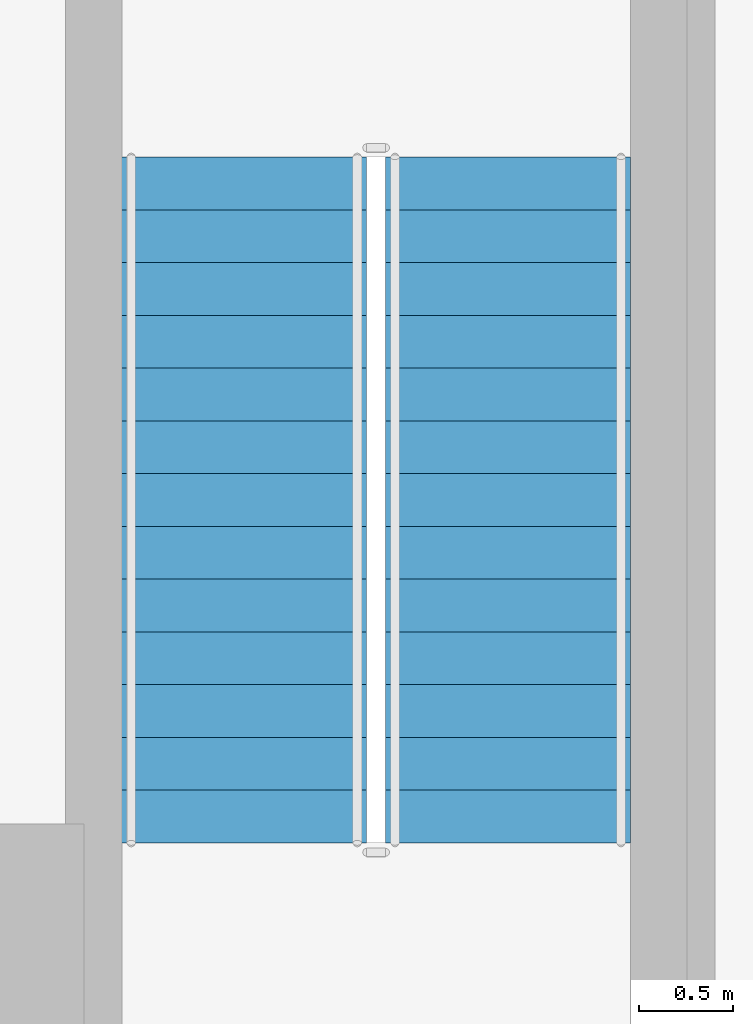
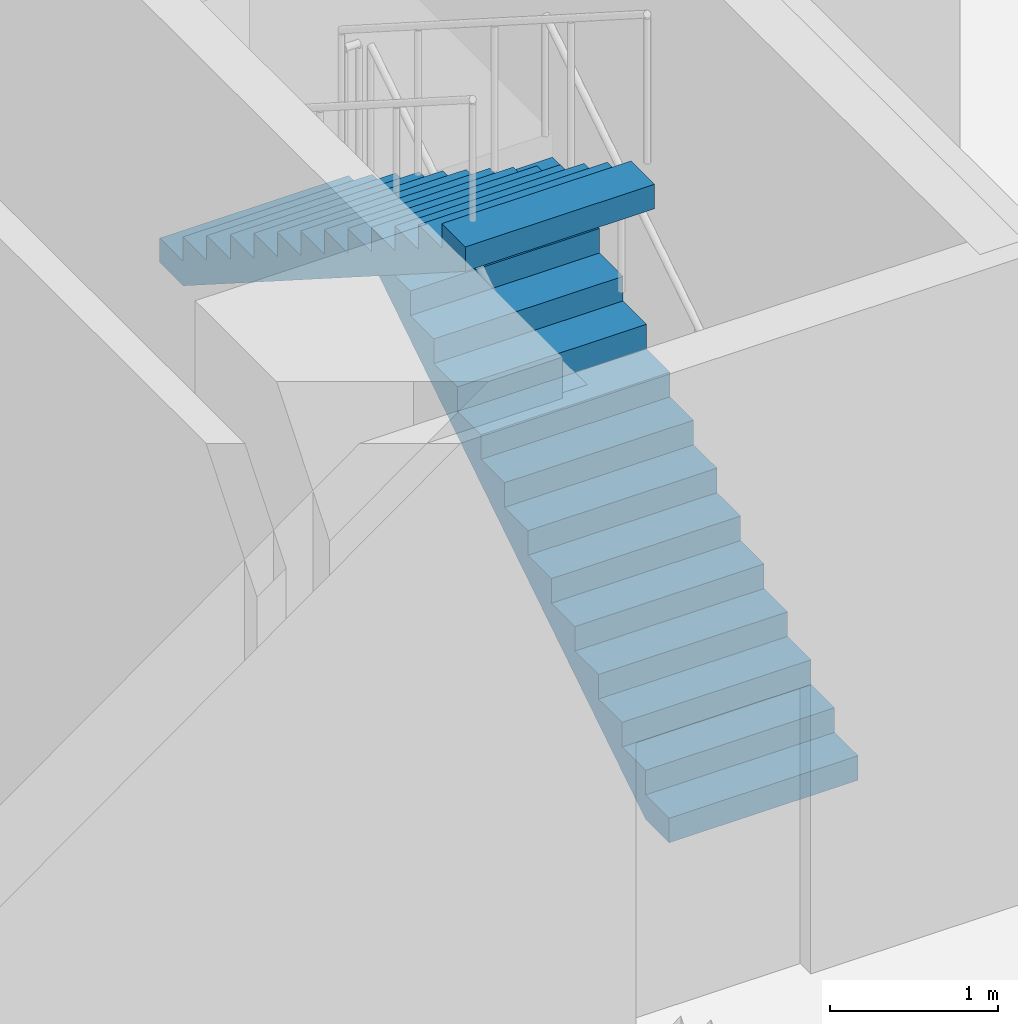
# One storey, part 18 of 33: 2 stair flights, 1 element without a shape of its own.
"""IFC4 building model written with IfcOpenShell, lengths in metres."""

import ifcopenshell
import ifcopenshell.guid

model = None  # the IFC model being written
_history = None  # IfcOwnerHistory: only IFC2X3 demands one
_inside = {}  # id of a spatial element -> (the spatial element, [elements in it])
_under = {}  # id of a project, library or spatial element -> (it, [spatial elements below it])
_declared = {}  # id of a project -> (the project, [libraries it declares])
_typed = {}  # id of a type object -> (the type object, [elements of that type])
_made_of = {}  # id of a material, layer set ... -> (it, [elements and type objects made of it])


def new_model(schema):
    """Start an empty IFC model of exactly this schema.

    Asked for "IFC4X3", IfcOpenShell would pick the latest addendum, in which some entities
    have other attributes; the version numbers below select the first issue.
    IFC2X3 requires an IfcOwnerHistory on every rooted entity: one is made here for all.
    """
    global model, _history
    if schema == "IFC4X3":
        model = ifcopenshell.file(schema_version=(4, 3, 0, 0))
    else:
        model = ifcopenshell.file(schema=schema)
    _inside.clear()
    _under.clear()
    _declared.clear()
    _typed.clear()
    _made_of.clear()
    _history = None
    if model.schema == "IFC2X3":
        org = make("IfcOrganization", Name="unknown")
        user = make(
            "IfcPersonAndOrganization",
            ThePerson=make("IfcPerson", FamilyName="unknown"),
            TheOrganization=org,
        )
        app = make(
            "IfcApplication",
            ApplicationDeveloper=org,
            Version="unknown",
            ApplicationFullName="unknown",
            ApplicationIdentifier="unknown",
        )
        _history = make(
            "IfcOwnerHistory",
            OwningUser=user,
            OwningApplication=app,
            ChangeAction="ADDED",
            CreationDate=0,
        )
    return model


def make(cls, **values):
    """One entity of the class cls with the attributes given. An attribute that is None is left unset."""
    return model.create_entity(
        cls, **{name: value for name, value in values.items() if value is not None}
    )


def rooted(cls, **values):
    """An entity with a GlobalId (a new one), such as an element, a storey or a relation."""
    return make(cls, GlobalId=ifcopenshell.guid.new(), OwnerHistory=_history, **values)


def si_unit(unit_type, name, prefix=None):
    """IfcSIUnit, for example si_unit("LENGTHUNIT", "METRE", prefix="MILLI")."""
    return make("IfcSIUnit", UnitType=unit_type, Prefix=prefix, Name=name)


def assignment(units):
    """IfcUnitAssignment: the units of a project."""
    return None if units is None else make("IfcUnitAssignment", Units=units)


def point(xyz):
    """IfcCartesianPoint."""
    return None if xyz is None else make("IfcCartesianPoint", Coordinates=xyz)


def direction(xyz):
    """IfcDirection."""
    return None if xyz is None else make("IfcDirection", DirectionRatios=xyz)


def frame(location, z_axis=None, x_axis=None):
    """IfcAxis2Placement3D, a coordinate frame: its origin and axes. An axis left out is left unset."""
    return make(
        "IfcAxis2Placement3D",
        Location=point(location),
        Axis=direction(z_axis),
        RefDirection=direction(x_axis),
    )


def origin():
    """The frame at (0, 0, 0) with its axes left unset."""
    return frame((0.0, 0.0, 0.0))


def place(relative_to, where):
    """IfcLocalPlacement: puts the frame where relative to a parent placement (None: the world)."""
    return make(
        "IfcLocalPlacement", PlacementRelTo=relative_to, RelativePlacement=where
    )


def context(
    kind, dimensions, precision=None, world=None, true_north=None, identifier=None
):
    """IfcGeometricRepresentationContext, for example the 3D "Model" context."""
    return make(
        "IfcGeometricRepresentationContext",
        ContextIdentifier=identifier,
        ContextType=kind,
        CoordinateSpaceDimension=dimensions,
        Precision=precision,
        WorldCoordinateSystem=world,
        TrueNorth=true_north,
    )


def subcontext(parent, identifier, kind, view, scale=None):
    """IfcGeometricRepresentationSubContext, for example "Body" below "Model"."""
    return make(
        "IfcGeometricRepresentationSubContext",
        ContextIdentifier=identifier,
        ContextType=kind,
        ParentContext=parent,
        TargetScale=scale,
        TargetView=view,
    )


def project(units=None, contexts=None):
    """IfcProject with its units and contexts."""
    return rooted(
        "IfcProject",
        Name="project",
        RepresentationContexts=contexts,
        UnitsInContext=assignment(units),
    )


def spatial(cls, under=None, at=None, **own):
    """A site, building, storey or space (cls), placed at a placement, below another one or the project."""
    s = rooted(cls, ObjectPlacement=at, **own)
    if under is not None:
        _under.setdefault(under.id(), (under, []))[1].append(s)
    return s


def point_list(points):
    """IfcCartesianPointList2D or 3D."""
    cls = (
        "IfcCartesianPointList2D" if len(points[0]) == 2 else "IfcCartesianPointList3D"
    )
    return make(cls, CoordList=points)


def triangles(points, corners, closed=None, point_numbers=None):
    """IfcTriangulatedFaceSet: each triangle names its three corners, points numbered from 1."""
    return make(
        "IfcTriangulatedFaceSet",
        Coordinates=point_list(points),
        Closed=closed,
        CoordIndex=corners,
        PnIndex=point_numbers,
    )


def shape(context_of_items, identifier, shape_type, items):
    """IfcShapeRepresentation: the items that make up one representation, for example the "Body"."""
    return make(
        "IfcShapeRepresentation",
        ContextOfItems=context_of_items,
        RepresentationIdentifier=identifier,
        RepresentationType=shape_type,
        Items=items,
    )


def source(mapping_origin, context_of_items, identifier, shape_type, items):
    """IfcRepresentationMap: a shape defined once, which mapped items show again and again."""
    return make(
        "IfcRepresentationMap",
        MappingOrigin=mapping_origin,
        MappedRepresentation=shape(context_of_items, identifier, shape_type, items),
    )


def transform(
    local_origin,
    x_axis=None,
    y_axis=None,
    z_axis=None,
    scale=None,
    scale2=None,
    scale3=None,
    uniform=True,
):
    """IfcCartesianTransformationOperator3D, or its non-uniform kind. x_axis, y_axis, z_axis: its Axis1, 2, 3."""
    if uniform:
        return make(
            "IfcCartesianTransformationOperator3D",
            Axis1=direction(x_axis),
            Axis2=direction(y_axis),
            LocalOrigin=point(local_origin),
            Scale=scale,
            Axis3=direction(z_axis),
        )
    return make(
        "IfcCartesianTransformationOperator3DnonUniform",
        Axis1=direction(x_axis),
        Axis2=direction(y_axis),
        LocalOrigin=point(local_origin),
        Scale=scale,
        Axis3=direction(z_axis),
        Scale2=scale2,
        Scale3=scale3,
    )


def mapped(mapping_source, mapping_target):
    """IfcMappedItem: shows the shape of a source again, moved by a transform."""
    return make(
        "IfcMappedItem", MappingSource=mapping_source, MappingTarget=mapping_target
    )


def material(Name=None, Category=None):
    """IfcMaterial."""
    return make("IfcMaterial", Name=Name, Category=Category)


def made_of(thing, what):
    """Note that an element or type object is made of a material, layer set ...; save() writes the relation."""
    if what is not None:
        _made_of.setdefault(what.id(), (what, []))[1].append(thing)
    return thing


def type_object(cls, material=None, **own):
    """A type object (cls), such as IfcWallType, which elements share."""
    return made_of(rooted(cls, **own), material)


def element(
    cls,
    number,
    at=None,
    inside=None,
    cuts=None,
    type_object=None,
    material=None,
    context=None,
    identifier="Body",
    shape_type=None,
    held_by="IfcProductDefinitionShape",
    body=None,
    shapes=None,
    **own,
):
    """One element of the class cls, such as IfcWall. Its Tag is "e" and its number.

    at: its placement. inside: the storey or other place that contains it. cuts: it is an
    opening in that element (IfcRelVoidsElement). A single representation is given by context,
    identifier, shape_type and body (its items); several are given by shapes. held_by: the class
    of the entity that holds the representations. save() writes the other relations.
    """
    e = rooted(cls, Tag="e%d" % number, ObjectPlacement=at, **own)
    if body is not None:
        shapes = [shape(context, identifier, shape_type, body)]
    if shapes is not None:
        e.Representation = make(held_by, Representations=shapes)
    if inside is not None:
        _inside.setdefault(inside.id(), (inside, []))[1].append(e)
    if cuts is not None:
        rooted(
            "IfcRelVoidsElement", RelatingBuildingElement=cuts, RelatedOpeningElement=e
        )
    if type_object is not None:
        _typed.setdefault(type_object.id(), (type_object, []))[1].append(e)
    return made_of(e, material)


def aggregate(whole, parts):
    """IfcRelAggregates: a whole, such as a stair, and the parts it consists of."""
    return rooted("IfcRelAggregates", RelatingObject=whole, RelatedObjects=parts)


def save(model, path):
    """Write the relations noted so far, then the file.

    IfcRelAggregates (storeys below a building ...), IfcRelContainedInSpatialStructure (elements
    in a storey), IfcRelDefinesByType, IfcRelAssociatesMaterial and IfcRelDeclares: one each for
    every whole, place, type object, material and project.
    """
    for whole, parts in _under.values():
        aggregate(whole, parts)
    for where, things in _inside.values():
        rooted(
            "IfcRelContainedInSpatialStructure",
            RelatedElements=things,
            RelatingStructure=where,
        )
    for kind, things in _typed.values():
        rooted("IfcRelDefinesByType", RelatedObjects=things, RelatingType=kind)
    for what, things in _made_of.values():
        rooted("IfcRelAssociatesMaterial", RelatedObjects=things, RelatingMaterial=what)
    for by, libraries in _declared.values():
        rooted("IfcRelDeclares", RelatingContext=by, RelatedDefinitions=libraries)
    model.write(path)


model = new_model("IFC4")

# Units and contexts
model_context = context("Model", 3, precision=1e-05, world=origin(), true_north=direction((0.0, 1.0)))
body_context = subcontext(model_context, "Body", "Model", "MODEL_VIEW")
ifc_project = project(units=[si_unit("LENGTHUNIT", "METRE"), si_unit("AREAUNIT", "SQUARE_METRE"), si_unit("VOLUMEUNIT", "CUBIC_METRE"), si_unit("PLANEANGLEUNIT", "RADIAN"), si_unit("MASSUNIT", "GRAM", prefix="KILO")], contexts=[model_context])

# Site, building, storey
site_placement = place(None, origin())
site = spatial("IfcSite", under=ifc_project, at=site_placement, CompositionType="ELEMENT")
building_placement = place(site_placement, origin())
building = spatial("IfcBuilding", under=site, at=building_placement, Name="Ogive Portal Towers", CompositionType="ELEMENT")
storey_placement = place(building_placement, frame((0.0, 0.0, 28.5)))
storey = spatial("IfcBuildingStorey", under=building, at=storey_placement, Name="L05", CompositionType="ELEMENT", Elevation=28.5)

# Stair, stair flights
ifc_material = material(Name="Concrete C40/50", Category="concrete")
stair_type = type_object("IfcStairType", Name="INT-STAIR", PredefinedType="HALF_TURN_STAIR", material=ifc_material)
stair_placement = place(storey_placement, origin())
stair = element("IfcStair", 1, at=stair_placement, inside=storey, type_object=stair_type, Name="L05 Exit Stair ST-A3", PredefinedType="HALF_TURN_STAIR")
stair_flight_type = type_object("IfcStairFlightType", Name="INT-FLIGHT", PredefinedType="STRAIGHT", material=ifc_material)
shared_shape = source(origin(), body_context, "Body", "Tessellation", [
    triangles([(0.0, -0.650146484375, 0.0), (0.0, -0.376220703125, 0.0), (0.0, -0.192626953125, 0.0), (0.0, -0.081298828125, 0.0), (0.0, -0.024169921875, 0.0), (0.0, -0.003173828125, 0.0), (0.0, 0.0, 0.0), (0.0, 0.0029296875, 0.0), (0.0, 0.02392578125, 0.0), (0.0, 0.0810546875, 0.0), (0.0, 0.1923828125, 0.0), (0.0, 0.3759765625, 0.0), (0.0, 0.64990234375, 0.0), (0.0, -0.650146484375, 0.178466796875), (0.0, -0.376220703125, 0.178466796875), (0.0, -0.192626953125, 0.178466796875), (0.0, -0.081298828125, 0.178466796875), (0.0, -0.024169921875, 0.178466796875), (0.0, -0.003173828125, 0.178466796875), (0.0, 0.0, 0.178466796875), (0.0, 0.0029296875, 0.178466796875), (0.0, 0.02392578125, 0.178466796875), (0.0, 0.0810546875, 0.178466796875), (0.0, 0.1923828125, 0.178466796875), (0.0, 0.3759765625, 0.178466796875), (0.0, 0.64990234375, 0.178466796875), (0.280029296875, -0.650146484375, 0.178466796875), (0.280029296875, -0.376220703125, 0.178466796875), (0.280029296875, -0.192626953125, 0.178466796875), (0.280029296875, -0.081298828125, 0.178466796875), (0.280029296875, -0.024169921875, 0.178466796875), (0.280029296875, -0.003173828125, 0.178466796875), (0.280029296875, 0.0, 0.178466796875), (0.280029296875, 0.0029296875, 0.178466796875), (0.280029296875, 0.02392578125, 0.178466796875), (0.280029296875, 0.0810546875, 0.178466796875), (0.280029296875, 0.1923828125, 0.178466796875), (0.280029296875, 0.3759765625, 0.178466796875), (0.280029296875, 0.64990234375, 0.178466796875), (0.280029296875, -0.650146484375, 0.357177734375), (0.280029296875, -0.376220703125, 0.357177734375), (0.280029296875, -0.192626953125, 0.357177734375), (0.280029296875, -0.081298828125, 0.357177734375), (0.280029296875, -0.024169921875, 0.357177734375), (0.280029296875, -0.003173828125, 0.357177734375), (0.280029296875, 0.0, 0.357177734375), (0.280029296875, 0.0029296875, 0.357177734375), (0.280029296875, 0.02392578125, 0.357177734375), (0.280029296875, 0.0810546875, 0.357177734375), (0.280029296875, 0.1923828125, 0.357177734375), (0.280029296875, 0.3759765625, 0.357177734375), (0.280029296875, 0.64990234375, 0.357177734375), (0.56005859375, -0.650146484375, 0.357177734375), (0.56005859375, -0.376220703125, 0.357177734375), (0.56005859375, -0.192626953125, 0.357177734375), (0.56005859375, -0.081298828125, 0.357177734375), (0.56005859375, -0.024169921875, 0.357177734375), (0.56005859375, -0.003173828125, 0.357177734375), (0.56005859375, 0.0, 0.357177734375), (0.56005859375, 0.0029296875, 0.357177734375), (0.56005859375, 0.02392578125, 0.357177734375), (0.56005859375, 0.0810546875, 0.357177734375), (0.56005859375, 0.1923828125, 0.357177734375), (0.56005859375, 0.3759765625, 0.357177734375), (0.56005859375, 0.64990234375, 0.357177734375), (0.56005859375, -0.650146484375, 0.53564453125), (0.56005859375, -0.376220703125, 0.53564453125), (0.56005859375, -0.192626953125, 0.53564453125), (0.56005859375, -0.081298828125, 0.53564453125), (0.56005859375, -0.024169921875, 0.53564453125), (0.56005859375, -0.003173828125, 0.53564453125), (0.56005859375, 0.0, 0.53564453125), (0.56005859375, 0.0029296875, 0.53564453125), (0.56005859375, 0.02392578125, 0.53564453125), (0.56005859375, 0.0810546875, 0.53564453125), (0.56005859375, 0.1923828125, 0.53564453125), (0.56005859375, 0.3759765625, 0.53564453125), (0.56005859375, 0.64990234375, 0.53564453125), (0.840087890625, -0.650146484375, 0.53564453125), (0.840087890625, -0.376220703125, 0.53564453125), (0.840087890625, -0.192626953125, 0.53564453125), (0.840087890625, -0.081298828125, 0.53564453125), (0.840087890625, -0.024169921875, 0.53564453125), (0.840087890625, -0.003173828125, 0.53564453125), (0.840087890625, 0.0, 0.53564453125), (0.840087890625, 0.0029296875, 0.53564453125), (0.840087890625, 0.02392578125, 0.53564453125), (0.840087890625, 0.0810546875, 0.53564453125), (0.840087890625, 0.1923828125, 0.53564453125), (0.840087890625, 0.3759765625, 0.53564453125), (0.840087890625, 0.64990234375, 0.53564453125), (0.840087890625, -0.650146484375, 0.71435546875), (0.840087890625, -0.376220703125, 0.71435546875), (0.840087890625, -0.192626953125, 0.71435546875), (0.840087890625, -0.081298828125, 0.71435546875), (0.840087890625, -0.024169921875, 0.71435546875), (0.840087890625, -0.003173828125, 0.71435546875), (0.840087890625, 0.0, 0.71435546875), (0.840087890625, 0.0029296875, 0.71435546875), (0.840087890625, 0.02392578125, 0.71435546875), (0.840087890625, 0.0810546875, 0.71435546875), (0.840087890625, 0.1923828125, 0.71435546875), (0.840087890625, 0.3759765625, 0.71435546875), (0.840087890625, 0.64990234375, 0.71435546875), (1.1201171875, -0.650146484375, 0.71435546875), (1.1201171875, -0.376220703125, 0.71435546875), (1.1201171875, -0.192626953125, 0.71435546875), (1.1201171875, -0.081298828125, 0.71435546875), (1.1201171875, -0.024169921875, 0.71435546875), (1.1201171875, -0.003173828125, 0.71435546875), (1.1201171875, 0.0, 0.71435546875), (1.1201171875, 0.0029296875, 0.71435546875), (1.1201171875, 0.02392578125, 0.71435546875), (1.1201171875, 0.0810546875, 0.71435546875), (1.1201171875, 0.1923828125, 0.71435546875), (1.1201171875, 0.3759765625, 0.71435546875), (1.1201171875, 0.64990234375, 0.71435546875), (1.1201171875, -0.650146484375, 0.892822265625), (1.1201171875, -0.376220703125, 0.892822265625), (1.1201171875, -0.192626953125, 0.892822265625), (1.1201171875, -0.081298828125, 0.892822265625), (1.1201171875, -0.024169921875, 0.892822265625), (1.1201171875, -0.003173828125, 0.892822265625), (1.1201171875, 0.0, 0.892822265625), (1.1201171875, 0.0029296875, 0.892822265625), (1.1201171875, 0.02392578125, 0.892822265625), (1.1201171875, 0.0810546875, 0.892822265625), (1.1201171875, 0.1923828125, 0.892822265625), (1.1201171875, 0.3759765625, 0.892822265625), (1.1201171875, 0.64990234375, 0.892822265625), (1.39990234375, -0.650146484375, 0.892822265625), (1.39990234375, -0.376220703125, 0.892822265625), (1.39990234375, -0.192626953125, 0.892822265625), (1.39990234375, -0.081298828125, 0.892822265625), (1.39990234375, -0.024169921875, 0.892822265625), (1.39990234375, -0.003173828125, 0.892822265625), (1.39990234375, 0.0, 0.892822265625), (1.39990234375, 0.0029296875, 0.892822265625), (1.39990234375, 0.02392578125, 0.892822265625), (1.39990234375, 0.0810546875, 0.892822265625), (1.39990234375, 0.1923828125, 0.892822265625), (1.39990234375, 0.3759765625, 0.892822265625), (1.39990234375, 0.64990234375, 0.892822265625), (1.39990234375, -0.650146484375, 1.071533203125), (1.39990234375, -0.376220703125, 1.071533203125), (1.39990234375, -0.192626953125, 1.071533203125), (1.39990234375, -0.081298828125, 1.071533203125), (1.39990234375, -0.024169921875, 1.071533203125), (1.39990234375, -0.003173828125, 1.071533203125), (1.39990234375, 0.0, 1.071533203125), (1.39990234375, 0.0029296875, 1.071533203125), (1.39990234375, 0.02392578125, 1.071533203125), (1.39990234375, 0.0810546875, 1.071533203125), (1.39990234375, 0.1923828125, 1.071533203125), (1.39990234375, 0.3759765625, 1.071533203125), (1.39990234375, 0.64990234375, 1.071533203125), (1.679931640625, -0.650146484375, 1.071533203125), (1.679931640625, -0.376220703125, 1.071533203125), (1.679931640625, -0.192626953125, 1.071533203125), (1.679931640625, -0.081298828125, 1.071533203125), (1.679931640625, -0.024169921875, 1.071533203125), (1.679931640625, -0.003173828125, 1.071533203125), (1.679931640625, 0.0, 1.071533203125), (1.679931640625, 0.0029296875, 1.071533203125), (1.679931640625, 0.02392578125, 1.071533203125), (1.679931640625, 0.0810546875, 1.071533203125), (1.679931640625, 0.1923828125, 1.071533203125), (1.679931640625, 0.3759765625, 1.071533203125), (1.679931640625, 0.64990234375, 1.071533203125), (1.679931640625, -0.650146484375, 1.25), (1.679931640625, -0.376220703125, 1.25), (1.679931640625, -0.192626953125, 1.25), (1.679931640625, -0.081298828125, 1.25), (1.679931640625, -0.024169921875, 1.25), (1.679931640625, -0.003173828125, 1.25), (1.679931640625, 0.0, 1.25), (1.679931640625, 0.0029296875, 1.25), (1.679931640625, 0.02392578125, 1.25), (1.679931640625, 0.0810546875, 1.25), (1.679931640625, 0.1923828125, 1.25), (1.679931640625, 0.3759765625, 1.25), (1.679931640625, 0.64990234375, 1.25), (1.9599609375, -0.650146484375, 1.25), (1.9599609375, -0.376220703125, 1.25), (1.9599609375, -0.192626953125, 1.25), (1.9599609375, -0.081298828125, 1.25), (1.9599609375, -0.024169921875, 1.25), (1.9599609375, -0.003173828125, 1.25), (1.9599609375, 0.0, 1.25), (1.9599609375, 0.0029296875, 1.25), (1.9599609375, 0.02392578125, 1.25), (1.9599609375, 0.0810546875, 1.25), (1.9599609375, 0.1923828125, 1.25), (1.9599609375, 0.3759765625, 1.25), (1.9599609375, 0.64990234375, 1.25), (1.9599609375, -0.650146484375, 1.428466796875), (1.9599609375, -0.376220703125, 1.428466796875), (1.9599609375, -0.192626953125, 1.428466796875), (1.9599609375, -0.081298828125, 1.428466796875), (1.9599609375, -0.024169921875, 1.428466796875), (1.9599609375, -0.003173828125, 1.428466796875), (1.9599609375, 0.0, 1.428466796875), (1.9599609375, 0.0029296875, 1.428466796875), (1.9599609375, 0.02392578125, 1.428466796875), (1.9599609375, 0.0810546875, 1.428466796875), (1.9599609375, 0.1923828125, 1.428466796875), (1.9599609375, 0.3759765625, 1.428466796875), (1.9599609375, 0.64990234375, 1.428466796875), (2.239990234375, -0.650146484375, 1.428466796875), (2.239990234375, -0.376220703125, 1.428466796875), (2.239990234375, -0.192626953125, 1.428466796875), (2.239990234375, -0.081298828125, 1.428466796875), (2.239990234375, -0.024169921875, 1.428466796875), (2.239990234375, -0.003173828125, 1.428466796875), (2.239990234375, 0.0, 1.428466796875), (2.239990234375, 0.0029296875, 1.428466796875), (2.239990234375, 0.02392578125, 1.428466796875), (2.239990234375, 0.0810546875, 1.428466796875), (2.239990234375, 0.1923828125, 1.428466796875), (2.239990234375, 0.3759765625, 1.428466796875), (2.239990234375, 0.64990234375, 1.428466796875), (2.239990234375, -0.650146484375, 1.607177734375), (2.239990234375, -0.376220703125, 1.607177734375), (2.239990234375, -0.192626953125, 1.607177734375), (2.239990234375, -0.081298828125, 1.607177734375), (2.239990234375, -0.024169921875, 1.607177734375), (2.239990234375, -0.003173828125, 1.607177734375), (2.239990234375, 0.0, 1.607177734375), (2.239990234375, 0.0029296875, 1.607177734375), (2.239990234375, 0.02392578125, 1.607177734375), (2.239990234375, 0.0810546875, 1.607177734375), (2.239990234375, 0.1923828125, 1.607177734375), (2.239990234375, 0.3759765625, 1.607177734375), (2.239990234375, 0.64990234375, 1.607177734375), (2.52001953125, -0.650146484375, 1.607177734375), (2.52001953125, -0.376220703125, 1.607177734375), (2.52001953125, -0.192626953125, 1.607177734375), (2.52001953125, -0.081298828125, 1.607177734375), (2.52001953125, -0.024169921875, 1.607177734375), (2.52001953125, -0.003173828125, 1.607177734375), (2.52001953125, 0.0, 1.607177734375), (2.52001953125, 0.0029296875, 1.607177734375), (2.52001953125, 0.02392578125, 1.607177734375), (2.52001953125, 0.0810546875, 1.607177734375), (2.52001953125, 0.1923828125, 1.607177734375), (2.52001953125, 0.3759765625, 1.607177734375), (2.52001953125, 0.64990234375, 1.607177734375), (2.52001953125, -0.650146484375, 1.78564453125), (2.52001953125, -0.376220703125, 1.78564453125), (2.52001953125, -0.192626953125, 1.78564453125), (2.52001953125, -0.081298828125, 1.78564453125), (2.52001953125, -0.024169921875, 1.78564453125), (2.52001953125, -0.003173828125, 1.78564453125), (2.52001953125, 0.0, 1.78564453125), (2.52001953125, 0.0029296875, 1.78564453125), (2.52001953125, 0.02392578125, 1.78564453125), (2.52001953125, 0.0810546875, 1.78564453125), (2.52001953125, 0.1923828125, 1.78564453125), (2.52001953125, 0.3759765625, 1.78564453125), (2.52001953125, 0.64990234375, 1.78564453125), (2.800048828125, -0.650146484375, 1.78564453125), (2.800048828125, -0.376220703125, 1.78564453125), (2.800048828125, -0.192626953125, 1.78564453125), (2.800048828125, -0.081298828125, 1.78564453125), (2.800048828125, -0.024169921875, 1.78564453125), (2.800048828125, -0.003173828125, 1.78564453125), (2.800048828125, 0.0, 1.78564453125), (2.800048828125, 0.0029296875, 1.78564453125), (2.800048828125, 0.02392578125, 1.78564453125), (2.800048828125, 0.0810546875, 1.78564453125), (2.800048828125, 0.1923828125, 1.78564453125), (2.800048828125, 0.3759765625, 1.78564453125), (2.800048828125, 0.64990234375, 1.78564453125), (2.800048828125, -0.650146484375, 1.96435546875), (2.800048828125, -0.376220703125, 1.96435546875), (2.800048828125, -0.192626953125, 1.96435546875), (2.800048828125, -0.081298828125, 1.96435546875), (2.800048828125, -0.024169921875, 1.96435546875), (2.800048828125, -0.003173828125, 1.96435546875), (2.800048828125, 0.0, 1.96435546875), (2.800048828125, 0.0029296875, 1.96435546875), (2.800048828125, 0.02392578125, 1.96435546875), (2.800048828125, 0.0810546875, 1.96435546875), (2.800048828125, 0.1923828125, 1.96435546875), (2.800048828125, 0.3759765625, 1.96435546875), (2.800048828125, 0.64990234375, 1.96435546875), (3.080078125, -0.650146484375, 1.96435546875), (3.080078125, -0.376220703125, 1.96435546875), (3.080078125, -0.192626953125, 1.96435546875), (3.080078125, -0.081298828125, 1.96435546875), (3.080078125, -0.024169921875, 1.96435546875), (3.080078125, -0.003173828125, 1.96435546875), (3.080078125, 0.0, 1.96435546875), (3.080078125, 0.0029296875, 1.96435546875), (3.080078125, 0.02392578125, 1.96435546875), (3.080078125, 0.0810546875, 1.96435546875), (3.080078125, 0.1923828125, 1.96435546875), (3.080078125, 0.3759765625, 1.96435546875), (3.080078125, 0.64990234375, 1.96435546875), (3.080078125, -0.650146484375, 2.142822265625), (3.080078125, -0.376220703125, 2.142822265625), (3.080078125, -0.192626953125, 2.142822265625), (3.080078125, -0.081298828125, 2.142822265625), (3.080078125, -0.024169921875, 2.142822265625), (3.080078125, -0.003173828125, 2.142822265625), (3.080078125, 0.0, 2.142822265625), (3.080078125, 0.0029296875, 2.142822265625), (3.080078125, 0.02392578125, 2.142822265625), (3.080078125, 0.0810546875, 2.142822265625), (3.080078125, 0.1923828125, 2.142822265625), (3.080078125, 0.3759765625, 2.142822265625), (3.080078125, 0.64990234375, 2.142822265625), (3.360107421875, -0.650146484375, 2.142822265625), (3.360107421875, -0.376220703125, 2.142822265625), (3.360107421875, -0.192626953125, 2.142822265625), (3.360107421875, -0.081298828125, 2.142822265625), (3.360107421875, -0.024169921875, 2.142822265625), (3.360107421875, -0.003173828125, 2.142822265625), (3.360107421875, 0.0, 2.142822265625), (3.360107421875, 0.0029296875, 2.142822265625), (3.360107421875, 0.02392578125, 2.142822265625), (3.360107421875, 0.0810546875, 2.142822265625), (3.360107421875, 0.1923828125, 2.142822265625), (3.360107421875, 0.3759765625, 2.142822265625), (3.360107421875, 0.64990234375, 2.142822265625), (3.360107421875, -0.650146484375, 2.321533203125), (3.360107421875, -0.376220703125, 2.321533203125), (3.360107421875, -0.192626953125, 2.321533203125), (3.360107421875, -0.081298828125, 2.321533203125), (3.360107421875, -0.024169921875, 2.321533203125), (3.360107421875, -0.003173828125, 2.321533203125), (3.360107421875, 0.0, 2.321533203125), (3.360107421875, 0.0029296875, 2.321533203125), (3.360107421875, 0.02392578125, 2.321533203125), (3.360107421875, 0.0810546875, 2.321533203125), (3.360107421875, 0.1923828125, 2.321533203125), (3.360107421875, 0.3759765625, 2.321533203125), (3.360107421875, 0.64990234375, 2.321533203125), (3.639892578125, -0.650146484375, 2.321533203125), (3.639892578125, -0.376220703125, 2.321533203125), (3.639892578125, -0.192626953125, 2.321533203125), (3.639892578125, -0.081298828125, 2.321533203125), (3.639892578125, -0.024169921875, 2.321533203125), (3.639892578125, -0.003173828125, 2.321533203125), (3.639892578125, 0.0, 2.321533203125), (3.639892578125, 0.0029296875, 2.321533203125), (3.639892578125, 0.02392578125, 2.321533203125), (3.639892578125, 0.0810546875, 2.321533203125), (3.639892578125, 0.1923828125, 2.321533203125), (3.639892578125, 0.3759765625, 2.321533203125), (3.639892578125, 0.64990234375, 2.321533203125), (3.639892578125, -0.650146484375, 2.1435546875), (3.639892578125, -0.376220703125, 2.1435546875), (3.639892578125, -0.192626953125, 2.1435546875), (3.639892578125, -0.081298828125, 2.1435546875), (3.639892578125, -0.024169921875, 2.1435546875), (3.639892578125, -0.003173828125, 2.1435546875), (3.639892578125, 0.0, 2.1435546875), (3.639892578125, 0.0029296875, 2.1435546875), (3.639892578125, 0.02392578125, 2.1435546875), (3.639892578125, 0.0810546875, 2.1435546875), (3.639892578125, 0.1923828125, 2.1435546875), (3.639892578125, 0.3759765625, 2.1435546875), (3.639892578125, 0.64990234375, 2.1435546875), (0.27880859375, -0.650146484375, 0.0), (0.27880859375, -0.376220703125, 0.0), (0.27880859375, -0.192626953125, 0.0), (0.27880859375, -0.081298828125, 0.0), (0.27880859375, -0.024169921875, 0.0), (0.27880859375, -0.003173828125, 0.0), (0.27880859375, 0.0, 0.0), (0.27880859375, 0.0029296875, 0.0), (0.27880859375, 0.02392578125, 0.0), (0.27880859375, 0.0810546875, 0.0), (0.27880859375, 0.1923828125, 0.0), (0.27880859375, 0.3759765625, 0.0), (0.27880859375, 0.64990234375, 0.0)], [[1, 14, 15], [1, 15, 2], [2, 15, 16], [2, 16, 3], [3, 16, 17], [3, 17, 4], [4, 17, 18], [4, 18, 5], [5, 18, 19], [5, 19, 6], [6, 19, 20], [6, 20, 7], [7, 20, 21], [7, 21, 8], [8, 21, 22], [8, 22, 9], [9, 22, 23], [9, 23, 10], [10, 23, 24], [10, 24, 11], [11, 24, 25], [11, 25, 12], [12, 25, 26], [12, 26, 13], [14, 27, 28], [14, 28, 15], [15, 28, 29], [15, 29, 16], [16, 29, 30], [16, 30, 17], [17, 30, 31], [17, 31, 18], [18, 31, 32], [18, 32, 19], [19, 32, 33], [19, 33, 20], [20, 33, 34], [20, 34, 21], [21, 34, 35], [21, 35, 22], [22, 35, 36], [22, 36, 23], [23, 36, 37], [23, 37, 24], [24, 37, 38], [24, 38, 25], [25, 38, 39], [25, 39, 26], [27, 40, 41], [27, 41, 28], [28, 41, 42], [28, 42, 29], [29, 42, 43], [29, 43, 30], [30, 43, 44], [30, 44, 31], [31, 44, 45], [31, 45, 32], [32, 45, 46], [32, 46, 33], [33, 46, 47], [33, 47, 34], [34, 47, 48], [34, 48, 35], [35, 48, 49], [35, 49, 36], [36, 49, 50], [36, 50, 37], [37, 50, 51], [37, 51, 38], [38, 51, 52], [38, 52, 39], [40, 53, 54], [40, 54, 41], [41, 54, 55], [41, 55, 42], [42, 55, 56], [42, 56, 43], [43, 56, 57], [43, 57, 44], [44, 57, 58], [44, 58, 45], [45, 58, 59], [45, 59, 46], [46, 59, 60], [46, 60, 47], [47, 60, 61], [47, 61, 48], [48, 61, 62], [48, 62, 49], [49, 62, 63], [49, 63, 50], [50, 63, 64], [50, 64, 51], [51, 64, 65], [51, 65, 52], [53, 66, 67], [53, 67, 54], [54, 67, 68], [54, 68, 55], [55, 68, 69], [55, 69, 56], [56, 69, 70], [56, 70, 57], [57, 70, 71], [57, 71, 58], [58, 71, 72], [58, 72, 59], [59, 72, 73], [59, 73, 60], [60, 73, 74], [60, 74, 61], [61, 74, 75], [61, 75, 62], [62, 75, 76], [62, 76, 63], [63, 76, 77], [63, 77, 64], [64, 77, 78], [64, 78, 65], [66, 79, 80], [66, 80, 67], [67, 80, 81], [67, 81, 68], [68, 81, 82], [68, 82, 69], [69, 82, 83], [69, 83, 70], [70, 83, 84], [70, 84, 71], [71, 84, 85], [71, 85, 72], [72, 85, 86], [72, 86, 73], [73, 86, 87], [73, 87, 74], [74, 87, 88], [74, 88, 75], [75, 88, 89], [75, 89, 76], [76, 89, 90], [76, 90, 77], [77, 90, 91], [77, 91, 78], [79, 92, 93], [79, 93, 80], [80, 93, 94], [80, 94, 81], [81, 94, 95], [81, 95, 82], [82, 95, 96], [82, 96, 83], [83, 96, 97], [83, 97, 84], [84, 97, 98], [84, 98, 85], [85, 98, 99], [85, 99, 86], [86, 99, 100], [86, 100, 87], [87, 100, 101], [87, 101, 88], [88, 101, 102], [88, 102, 89], [89, 102, 103], [89, 103, 90], [90, 103, 104], [90, 104, 91], [92, 105, 106], [92, 106, 93], [93, 106, 107], [93, 107, 94], [94, 107, 108], [94, 108, 95], [95, 108, 109], [95, 109, 96], [96, 109, 110], [96, 110, 97], [97, 110, 111], [97, 111, 98], [98, 111, 112], [98, 112, 99], [99, 112, 113], [99, 113, 100], [100, 113, 114], [100, 114, 101], [101, 114, 115], [101, 115, 102], [102, 115, 116], [102, 116, 103], [103, 116, 117], [103, 117, 104], [105, 118, 119], [105, 119, 106], [106, 119, 120], [106, 120, 107], [107, 120, 121], [107, 121, 108], [108, 121, 122], [108, 122, 109], [109, 122, 123], [109, 123, 110], [110, 123, 124], [110, 124, 111], [111, 124, 125], [111, 125, 112], [112, 125, 126], [112, 126, 113], [113, 126, 127], [113, 127, 114], [114, 127, 128], [114, 128, 115], [115, 128, 129], [115, 129, 116], [116, 129, 130], [116, 130, 117], [118, 131, 132], [118, 132, 119], [119, 132, 133], [119, 133, 120], [120, 133, 134], [120, 134, 121], [121, 134, 135], [121, 135, 122], [122, 135, 136], [122, 136, 123], [123, 136, 137], [123, 137, 124], [124, 137, 138], [124, 138, 125], [125, 138, 139], [125, 139, 126], [126, 139, 140], [126, 140, 127], [127, 140, 141], [127, 141, 128], [128, 141, 142], [128, 142, 129], [129, 142, 143], [129, 143, 130], [131, 144, 145], [131, 145, 132], [132, 145, 146], [132, 146, 133], [133, 146, 147], [133, 147, 134], [134, 147, 148], [134, 148, 135], [135, 148, 149], [135, 149, 136], [136, 149, 150], [136, 150, 137], [137, 150, 151], [137, 151, 138], [138, 151, 152], [138, 152, 139], [139, 152, 153], [139, 153, 140], [140, 153, 154], [140, 154, 141], [141, 154, 155], [141, 155, 142], [142, 155, 156], [142, 156, 143], [144, 157, 158], [144, 158, 145], [145, 158, 159], [145, 159, 146], [146, 159, 160], [146, 160, 147], [147, 160, 161], [147, 161, 148], [148, 161, 162], [148, 162, 149], [149, 162, 163], [149, 163, 150], [150, 163, 164], [150, 164, 151], [151, 164, 165], [151, 165, 152], [152, 165, 166], [152, 166, 153], [153, 166, 167], [153, 167, 154], [154, 167, 168], [154, 168, 155], [155, 168, 169], [155, 169, 156], [157, 170, 171], [157, 171, 158], [158, 171, 172], [158, 172, 159], [159, 172, 173], [159, 173, 160], [160, 173, 174], [160, 174, 161], [161, 174, 175], [161, 175, 162], [162, 175, 176], [162, 176, 163], [163, 176, 177], [163, 177, 164], [164, 177, 178], [164, 178, 165], [165, 178, 179], [165, 179, 166], [166, 179, 180], [166, 180, 167], [167, 180, 181], [167, 181, 168], [168, 181, 182], [168, 182, 169], [170, 183, 184], [170, 184, 171], [171, 184, 185], [171, 185, 172], [172, 185, 186], [172, 186, 173], [173, 186, 187], [173, 187, 174], [174, 187, 188], [174, 188, 175], [175, 188, 189], [175, 189, 176], [176, 189, 190], [176, 190, 177], [177, 190, 191], [177, 191, 178], [178, 191, 192], [178, 192, 179], [179, 192, 193], [179, 193, 180], [180, 193, 194], [180, 194, 181], [181, 194, 195], [181, 195, 182], [183, 196, 197], [183, 197, 184], [184, 197, 198], [184, 198, 185], [185, 198, 199], [185, 199, 186], [186, 199, 200], [186, 200, 187], [187, 200, 201], [187, 201, 188], [188, 201, 202], [188, 202, 189], [189, 202, 203], [189, 203, 190], [190, 203, 204], [190, 204, 191], [191, 204, 205], [191, 205, 192], [192, 205, 206], [192, 206, 193], [193, 206, 207], [193, 207, 194], [194, 207, 208], [194, 208, 195], [196, 209, 210], [196, 210, 197], [197, 210, 211], [197, 211, 198], [198, 211, 212], [198, 212, 199], [199, 212, 213], [199, 213, 200], [200, 213, 214], [200, 214, 201], [201, 214, 215], [201, 215, 202], [202, 215, 216], [202, 216, 203], [203, 216, 217], [203, 217, 204], [204, 217, 218], [204, 218, 205], [205, 218, 219], [205, 219, 206], [206, 219, 220], [206, 220, 207], [207, 220, 221], [207, 221, 208], [209, 222, 223], [209, 223, 210], [210, 223, 224], [210, 224, 211], [211, 224, 225], [211, 225, 212], [212, 225, 226], [212, 226, 213], [213, 226, 227], [213, 227, 214], [214, 227, 228], [214, 228, 215], [215, 228, 229], [215, 229, 216], [216, 229, 230], [216, 230, 217], [217, 230, 231], [217, 231, 218], [218, 231, 232], [218, 232, 219], [219, 232, 233], [219, 233, 220], [220, 233, 234], [220, 234, 221], [222, 235, 236], [222, 236, 223], [223, 236, 237], [223, 237, 224], [224, 237, 238], [224, 238, 225], [225, 238, 239], [225, 239, 226], [226, 239, 240], [226, 240, 227], [227, 240, 241], [227, 241, 228], [228, 241, 242], [228, 242, 229], [229, 242, 243], [229, 243, 230], [230, 243, 244], [230, 244, 231], [231, 244, 245], [231, 245, 232], [232, 245, 246], [232, 246, 233], [233, 246, 247], [233, 247, 234], [235, 248, 249], [235, 249, 236], [236, 249, 250], [236, 250, 237], [237, 250, 251], [237, 251, 238], [238, 251, 252], [238, 252, 239], [239, 252, 253], [239, 253, 240], [240, 253, 254], [240, 254, 241], [241, 254, 255], [241, 255, 242], [242, 255, 256], [242, 256, 243], [243, 256, 257], [243, 257, 244], [244, 257, 258], [244, 258, 245], [245, 258, 259], [245, 259, 246], [246, 259, 260], [246, 260, 247], [248, 261, 262], [248, 262, 249], [249, 262, 263], [249, 263, 250], [250, 263, 264], [250, 264, 251], [251, 264, 265], [251, 265, 252], [252, 265, 266], [252, 266, 253], [253, 266, 267], [253, 267, 254], [254, 267, 268], [254, 268, 255], [255, 268, 269], [255, 269, 256], [256, 269, 270], [256, 270, 257], [257, 270, 271], [257, 271, 258], [258, 271, 272], [258, 272, 259], [259, 272, 273], [259, 273, 260], [261, 274, 275], [261, 275, 262], [262, 275, 276], [262, 276, 263], [263, 276, 277], [263, 277, 264], [264, 277, 278], [264, 278, 265], [265, 278, 279], [265, 279, 266], [266, 279, 280], [266, 280, 267], [267, 280, 281], [267, 281, 268], [268, 281, 282], [268, 282, 269], [269, 282, 283], [269, 283, 270], [270, 283, 284], [270, 284, 271], [271, 284, 285], [271, 285, 272], [272, 285, 286], [272, 286, 273], [274, 287, 288], [274, 288, 275], [275, 288, 289], [275, 289, 276], [276, 289, 290], [276, 290, 277], [277, 290, 291], [277, 291, 278], [278, 291, 292], [278, 292, 279], [279, 292, 293], [279, 293, 280], [280, 293, 294], [280, 294, 281], [281, 294, 295], [281, 295, 282], [282, 295, 296], [282, 296, 283], [283, 296, 297], [283, 297, 284], [284, 297, 298], [284, 298, 285], [285, 298, 299], [285, 299, 286], [287, 300, 301], [287, 301, 288], [288, 301, 302], [288, 302, 289], [289, 302, 303], [289, 303, 290], [290, 303, 304], [290, 304, 291], [291, 304, 305], [291, 305, 292], [292, 305, 306], [292, 306, 293], [293, 306, 307], [293, 307, 294], [294, 307, 308], [294, 308, 295], [295, 308, 309], [295, 309, 296], [296, 309, 310], [296, 310, 297], [297, 310, 311], [297, 311, 298], [298, 311, 312], [298, 312, 299], [300, 313, 314], [300, 314, 301], [301, 314, 315], [301, 315, 302], [302, 315, 316], [302, 316, 303], [303, 316, 317], [303, 317, 304], [304, 317, 318], [304, 318, 305], [305, 318, 319], [305, 319, 306], [306, 319, 320], [306, 320, 307], [307, 320, 321], [307, 321, 308], [308, 321, 322], [308, 322, 309], [309, 322, 323], [309, 323, 310], [310, 323, 324], [310, 324, 311], [311, 324, 325], [311, 325, 312], [313, 326, 327], [313, 327, 314], [314, 327, 328], [314, 328, 315], [315, 328, 329], [315, 329, 316], [316, 329, 330], [316, 330, 317], [317, 330, 331], [317, 331, 318], [318, 331, 332], [318, 332, 319], [319, 332, 333], [319, 333, 320], [320, 333, 334], [320, 334, 321], [321, 334, 335], [321, 335, 322], [322, 335, 336], [322, 336, 323], [323, 336, 337], [323, 337, 324], [324, 337, 338], [324, 338, 325], [326, 339, 340], [326, 340, 327], [327, 340, 341], [327, 341, 328], [328, 341, 342], [328, 342, 329], [329, 342, 343], [329, 343, 330], [330, 343, 344], [330, 344, 331], [331, 344, 345], [331, 345, 332], [332, 345, 346], [332, 346, 333], [333, 346, 347], [333, 347, 334], [334, 347, 348], [334, 348, 335], [335, 348, 349], [335, 349, 336], [336, 349, 350], [336, 350, 337], [337, 350, 351], [337, 351, 338], [339, 352, 353], [339, 353, 340], [340, 353, 354], [340, 354, 341], [341, 354, 355], [341, 355, 342], [342, 355, 356], [342, 356, 343], [343, 356, 357], [343, 357, 344], [344, 357, 358], [344, 358, 345], [345, 358, 359], [345, 359, 346], [346, 359, 360], [346, 360, 347], [347, 360, 361], [347, 361, 348], [348, 361, 362], [348, 362, 349], [349, 362, 363], [349, 363, 350], [350, 363, 364], [350, 364, 351], [352, 365, 366], [352, 366, 353], [353, 366, 367], [353, 367, 354], [354, 367, 368], [354, 368, 355], [355, 368, 369], [355, 369, 356], [356, 369, 370], [356, 370, 357], [357, 370, 371], [357, 371, 358], [358, 371, 372], [358, 372, 359], [359, 372, 373], [359, 373, 360], [360, 373, 374], [360, 374, 361], [361, 374, 375], [361, 375, 362], [362, 375, 376], [362, 376, 363], [363, 376, 377], [363, 377, 364], [365, 1, 2], [365, 2, 366], [366, 2, 3], [366, 3, 367], [367, 3, 4], [367, 4, 368], [368, 4, 5], [368, 5, 369], [369, 5, 6], [369, 6, 370], [370, 6, 7], [370, 7, 371], [371, 7, 8], [371, 8, 372], [372, 8, 9], [372, 9, 373], [373, 9, 10], [373, 10, 374], [374, 10, 11], [374, 11, 375], [375, 11, 12], [375, 12, 376], [376, 12, 13], [376, 13, 377], [1, 365, 352], [13, 364, 377], [352, 339, 326], [364, 338, 351], [352, 326, 313], [364, 325, 338], [313, 300, 287], [325, 299, 312], [352, 313, 287], [364, 299, 325], [287, 274, 261], [299, 273, 286], [352, 287, 261], [364, 273, 299], [261, 248, 235], [273, 247, 260], [352, 261, 235], [364, 247, 273], [235, 222, 209], [247, 221, 234], [352, 235, 209], [364, 221, 247], [209, 196, 183], [221, 195, 208], [352, 209, 183], [364, 195, 221], [183, 170, 157], [195, 169, 182], [352, 183, 157], [364, 169, 195], [157, 144, 131], [169, 143, 156], [352, 157, 131], [364, 143, 169], [131, 118, 105], [143, 117, 130], [352, 131, 105], [364, 117, 143], [105, 92, 79], [117, 91, 104], [352, 105, 79], [364, 91, 117], [79, 66, 53], [91, 65, 78], [352, 79, 53], [364, 65, 91], [53, 40, 27], [65, 39, 52], [352, 53, 27], [364, 39, 65], [1, 352, 27], [13, 39, 364], [27, 14, 1], [39, 13, 26]], closed=True),
])
stair_flight_1_placement = place(storey_placement, frame((43.550048828125, 67.199951171875, 0.0), z_axis=(0.0, 0.0, 1.0), x_axis=(0.0, 1.0, 0.0)))
stair_flight_1 = element("IfcStairFlight", 2, at=stair_flight_1_placement, type_object=stair_flight_type, Name="ST-A3 flight 1", NumberOfRisers=14, NumberOfTreads=13, PredefinedType="STRAIGHT", RiserHeight=0.178571429, TreadLength=0.28, context=body_context, shape_type="MappedRepresentation", body=[
    mapped(shared_shape, transform((0.0, 0.0, 0.0), scale=1.0)),
])
stair_flight_2_placement = place(storey_placement, frame((42.14990234375, 70.840087890625, 2.5), z_axis=(0.0, 0.0, 1.0), x_axis=(0.0, -1.0, 0.0)))
stair_flight_2 = element("IfcStairFlight", 3, at=stair_flight_2_placement, type_object=stair_flight_type, Name="ST-A3 flight 2", NumberOfRisers=14, NumberOfTreads=13, PredefinedType="STRAIGHT", RiserHeight=0.178571429, TreadLength=0.28, context=body_context, shape_type="MappedRepresentation", body=[
    mapped(shared_shape, transform((0.0, 0.0, 0.0), scale=1.0)),
])
aggregate(stair, [stair_flight_1, stair_flight_2])

save(model, "model.ifc")
